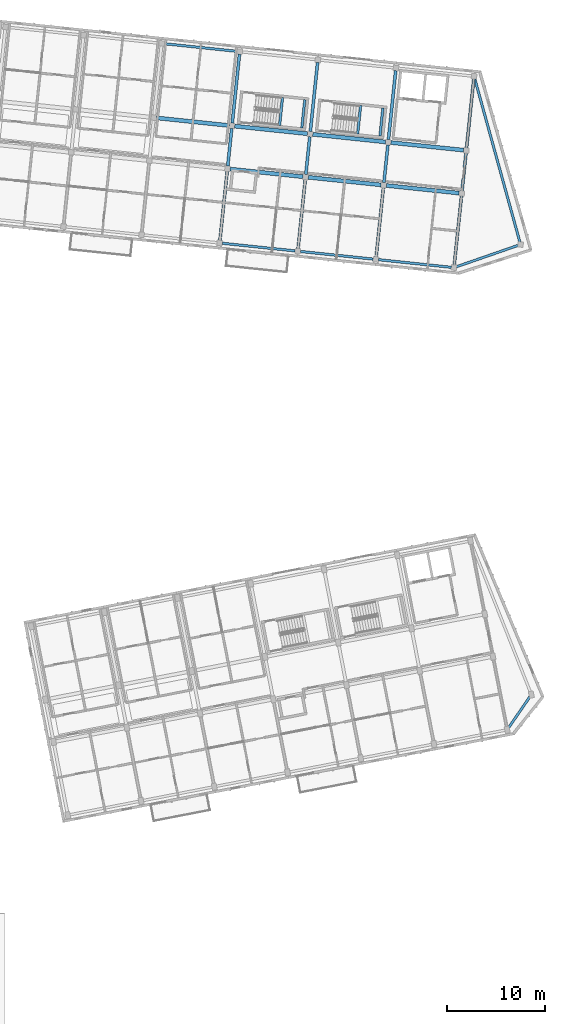
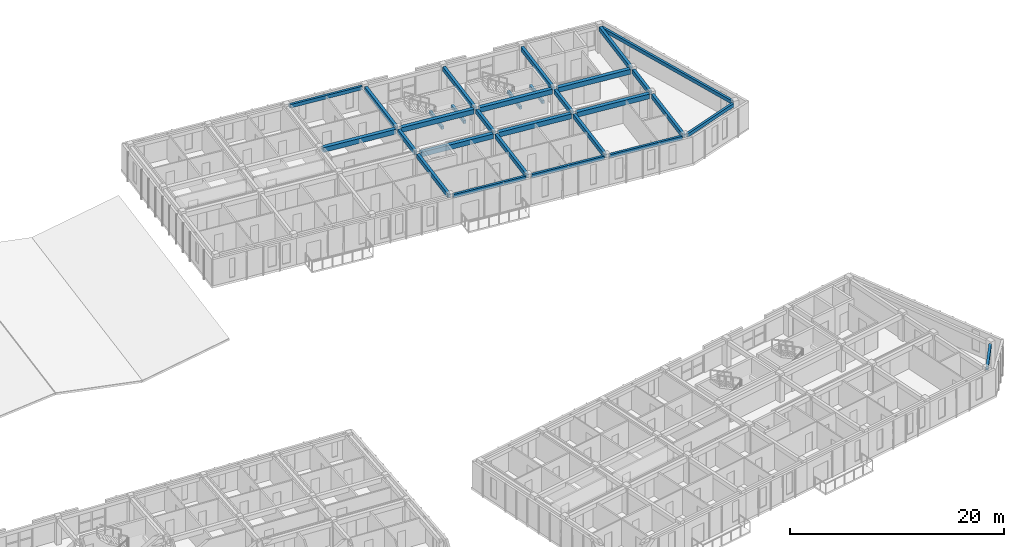
# One storey, part 12 of 74: 30 beams.
"""IFC4 building model written with IfcOpenShell, lengths in metres."""

from ifc_helpers import new_model, si_unit, direction, frame, origin, origin_2d, place, context, subcontext, project, spatial, rectangle, extrude, material, material_profile, profile_set, type_object, element, save


model = new_model("IFC4")

# Units and contexts
model_context = context("Model", 3, precision=1e-05, world=origin(), true_north=direction((0.0, 1.0)))
body_context = subcontext(model_context, "Body", "Model", "MODEL_VIEW")
ifc_project = project(units=[si_unit("LENGTHUNIT", "METRE"), si_unit("AREAUNIT", "SQUARE_METRE"), si_unit("VOLUMEUNIT", "CUBIC_METRE"), si_unit("PLANEANGLEUNIT", "RADIAN"), si_unit("MASSUNIT", "GRAM", prefix="KILO")], contexts=[model_context])

# Site, building, storey
site_placement = place(None, origin())
site = spatial("IfcSite", under=ifc_project, at=site_placement, CompositionType="ELEMENT")
building_placement = place(site_placement, origin())
building = spatial("IfcBuilding", under=site, at=building_placement, Name="Kestramere Prow Commons", CompositionType="ELEMENT")
storey_placement = place(building_placement, frame((0.0, 0.0, 11.64990234375)))
storey = spatial("IfcBuildingStorey", under=building, at=storey_placement, Name="L03", CompositionType="ELEMENT", Elevation=11.64990234375)

# Beams
ifc_material_1 = material(Name="Precast concrete C40/50", Category="concrete")
ifc_material_profile_1 = material_profile(ifc_material_1, rectangle(XDim=0.39990234375, YDim=0.550048828125, at=origin_2d()), Name="PC-BM 400x550")
ifc_profile_set_1 = profile_set([ifc_material_profile_1], Name="Precast concrete C40/50")
beam_type_1 = type_object("IfcBeamType", Name="BM-B1 PC-BM 400x550", PredefinedType="BEAM", material=ifc_profile_set_1)
for number, where, z_axis, x_axis, name in (
    (1, (134.9365234375, 99.821044921875, 2.72509765625), (0.994520884665, -0.104538079019, 0.0), (0.104538079019, 0.994520884665, 0.0), "Block B L03 Longitudinal Beam 2-4"),
    (2, (142.892578125, 98.984619140625, 2.72509765625), (0.994524291149, -0.104505666419, 0.0), (0.104505666419, 0.994524291149, 0.0), "Block B L03 Longitudinal Beam 2-5"),
    (3, (150.848876953125, 98.1484375, 2.72509765625), (0.994520884665, -0.104538079019, 0.0), (0.104538079019, 0.994520884665, 0.0), "Block B L03 Longitudinal Beam 2-6"),
    (4, (127.440185546875, 105.032958984375, 2.72509765625), (0.994524291149, -0.104505666419, 0.0), (0.104505666419, 0.994524291149, 0.0), "Block B L03 Longitudinal Beam 3-3"),
):
    element("IfcBeam", number, at=place(storey_placement, frame(where, z_axis=z_axis, x_axis=x_axis)), inside=storey, type_object=beam_type_1, Name=name, PredefinedType="BEAM", context=body_context, shape_type="SweptSolid", body=[
        extrude(rectangle(XDim=0.39990234375, YDim=0.550048828125, at=origin_2d()), origin(), (0.0, 0.0, 1.0), 7.449951171875),
    ])
beam_1_placement = place(storey_placement, frame((135.396240234375, 104.19677734375, 2.72509765625), z_axis=(0.994524649035, -0.104502260561, 0.0), x_axis=(0.104502260561, 0.994524649035, 0.0)))
element("IfcBeam", 5, at=beam_1_placement, inside=storey, type_object=beam_type_1, Name="Block B L03 Longitudinal Beam 3-4", PredefinedType="BEAM", context=body_context, shape_type="SweptSolid", body=[
    extrude(rectangle(XDim=0.39990234375, YDim=0.550048828125, at=origin_2d()), origin(), (0.0, 0.0, 1.0), 7.4501953125),
])
beam_2_placement = place(storey_placement, frame((143.3525390625, 103.360595703125, 2.72509765625), z_axis=(0.994520884665, -0.104538079019, 0.0), x_axis=(0.104538079019, 0.994520884665, 0.0)))
element("IfcBeam", 6, at=beam_2_placement, inside=storey, type_object=beam_type_1, Name="Block B L03 Longitudinal Beam 3-5", PredefinedType="BEAM", context=body_context, shape_type="SweptSolid", body=[
    extrude(rectangle(XDim=0.39990234375, YDim=0.550048828125, at=origin_2d()), origin(), (0.0, 0.0, 1.0), 7.449951171875),
])
beam_3_placement = place(storey_placement, frame((151.30859375, 102.5244140625, 2.72509765625), z_axis=(0.994521242771, -0.104534672129, 0.0), x_axis=(0.104534672129, 0.994521242771, 0.0)))
element("IfcBeam", 7, at=beam_3_placement, inside=storey, type_object=beam_type_1, Name="Block B L03 Longitudinal Beam 3-6", PredefinedType="BEAM", context=body_context, shape_type="SweptSolid", body=[
    extrude(rectangle(XDim=0.39990234375, YDim=0.550048828125, at=origin_2d()), origin(), (0.0, 0.0, 1.0), 7.4501953125),
])
ifc_material_2 = material(Name="Concrete C40/50", Category="concrete")
ifc_material_profile_2 = material_profile(ifc_material_2, rectangle(XDim=0.25, YDim=0.35009765625, at=origin_2d()), Name="PC-BM 250x350")
ifc_profile_set_2 = profile_set([ifc_material_profile_2], Name="Concrete C40/50")
beam_type_2 = type_object("IfcBeamType", Name="BM-ST-TRIM", PredefinedType="BEAM", material=ifc_profile_set_2)
for number, where, z_axis, x_axis, name in (
    (8, (139.971923828125, 104.248779296875, 1.25), (0.104495697268, 0.994525338668, 0.0), (-0.994525338668, 0.104495697268, 0.0), "ST-B1 L03 Landing Trimmer Beam 1A"),
    (9, (142.2392578125, 104.010498046875, 1.25), (0.104579248847, 0.994516556278, 0.0), (-0.994516556278, 0.104579248847, 0.0), "ST-B1 L03 Landing Trimmer Beam 1B"),
    (10, (147.927978515625, 103.41259765625, 1.25), (0.104579248847, 0.994516556278, 0.0), (-0.994516556278, 0.104579248847, 0.0), "ST-B2 L03 Landing Trimmer Beam 1A"),
    (11, (150.195556640625, 103.17431640625, 1.25), (0.104495697268, 0.994525338668, 0.0), (-0.994525338668, 0.104495697268, 0.0), "ST-B2 L03 Landing Trimmer Beam 1B"),
):
    element("IfcBeam", number, at=place(storey_placement, frame(where, z_axis=z_axis, x_axis=x_axis)), inside=storey, type_object=beam_type_2, Name=name, PredefinedType="BEAM", context=body_context, shape_type="SweptSolid", body=[
        extrude(rectangle(XDim=0.25, YDim=0.35009765625, at=origin_2d()), origin(), (0.0, 0.0, 1.0), 2.89013671875),
    ])
ifc_material_profile_3 = material_profile(ifc_material_1, rectangle(XDim=0.300048828125, YDim=0.5, at=origin_2d()), Name="PC-BM 300x500")
ifc_profile_set_3 = profile_set([ifc_material_profile_3], Name="Precast concrete C40/50")
beam_type_3 = type_object("IfcBeamType", Name="BM-TIE-01 PC-BM 300x500", PredefinedType="BEAM", material=ifc_profile_set_3)
beam_4_placement = place(storey_placement, frame((133.897216796875, 92.564697265625, 2.75), z_axis=(0.104545981508, 0.994520053971, 0.0), x_axis=(-0.994520053971, 0.104545981508, 0.0)))
element("IfcBeam", 12, at=beam_4_placement, inside=storey, type_object=beam_type_3, Name="Block B L03 Transverse Beam 4-1", PredefinedType="BEAM", context=body_context, shape_type="SweptSolid", body=[
    extrude(rectangle(XDim=0.300048828125, YDim=0.5, at=origin_2d()), origin(), (0.0, 0.0, 1.0), 7.050048828125),
])
beam_5_placement = place(storey_placement, frame((134.691650390625, 100.123291015625, 2.75), z_axis=(0.104569249198, 0.994517607749, 0.0), x_axis=(-0.994517607749, 0.104569249198, 0.0)))
element("IfcBeam", 13, at=beam_5_placement, inside=storey, type_object=beam_type_3, Name="Block B L03 Transverse Beam 4-2", PredefinedType="BEAM", context=body_context, shape_type="SweptSolid", body=[
    extrude(rectangle(XDim=0.300048828125, YDim=0.5, at=origin_2d()), origin(), (0.0, 0.0, 1.0), 3.849853515625),
])
for number, where, z_axis, x_axis, name in (
    (14, (135.151611328125, 104.4990234375, 2.75), (0.104511730475, 0.994523653913, 0.0), (-0.994523653913, 0.104511730475, 0.0), "Block B L03 Transverse Beam 4-3"),
    (15, (141.853515625, 91.728515625, 2.75), (0.104511730475, 0.994523653913, 0.0), (-0.994523653913, 0.104511730475, 0.0), "Block B L03 Transverse Beam 5-1"),
):
    element("IfcBeam", number, at=place(storey_placement, frame(where, z_axis=z_axis, x_axis=x_axis)), inside=storey, type_object=beam_type_3, Name=name, PredefinedType="BEAM", context=body_context, shape_type="SweptSolid", body=[
        extrude(rectangle(XDim=0.300048828125, YDim=0.5, at=origin_2d()), origin(), (0.0, 0.0, 1.0), 7.050048828125),
    ])
beam_6_placement = place(storey_placement, frame((142.64794921875, 99.286865234375, 2.75), z_axis=(0.104499937761, 0.994524893106, 0.0), x_axis=(-0.994524893106, 0.104499937761, 0.0)))
element("IfcBeam", 16, at=beam_6_placement, inside=storey, type_object=beam_type_3, Name="Block B L03 Transverse Beam 5-2", PredefinedType="BEAM", context=body_context, shape_type="SweptSolid", body=[
    extrude(rectangle(XDim=0.300048828125, YDim=0.5, at=origin_2d()), origin(), (0.0, 0.0, 1.0), 3.85009765625),
])
for number, where, z_axis, x_axis, name in (
    (17, (143.107666015625, 103.662841796875, 2.75), (0.104545981508, 0.994520053971, 0.0), (-0.994520053971, 0.104545981508, 0.0), "Block B L03 Transverse Beam 5-3"),
    (18, (149.8095703125, 90.892333984375, 2.75), (0.104545981508, 0.994520053971, 0.0), (-0.994520053971, 0.104545981508, 0.0), "Block B L03 Transverse Beam 6-1"),
):
    element("IfcBeam", number, at=place(storey_placement, frame(where, z_axis=z_axis, x_axis=x_axis)), inside=storey, type_object=beam_type_3, Name=name, PredefinedType="BEAM", context=body_context, shape_type="SweptSolid", body=[
        extrude(rectangle(XDim=0.300048828125, YDim=0.5, at=origin_2d()), origin(), (0.0, 0.0, 1.0), 7.050048828125),
    ])
beam_7_placement = place(storey_placement, frame((150.60400390625, 98.45068359375, 2.75), z_axis=(0.104569249198, 0.994517607749, 0.0), x_axis=(-0.994517607749, 0.104569249198, 0.0)))
element("IfcBeam", 19, at=beam_7_placement, inside=storey, type_object=beam_type_3, Name="Block B L03 Transverse Beam 6-2", PredefinedType="BEAM", context=body_context, shape_type="SweptSolid", body=[
    extrude(rectangle(XDim=0.300048828125, YDim=0.5, at=origin_2d()), origin(), (0.0, 0.0, 1.0), 3.849853515625),
])
beam_8_placement = place(storey_placement, frame((151.06396484375, 102.82666015625, 2.75), z_axis=(0.104515329964, 0.994523275646, 0.0), x_axis=(-0.994523275646, 0.104515329964, 0.0)))
element("IfcBeam", 20, at=beam_8_placement, inside=storey, type_object=beam_type_3, Name="Block B L03 Transverse Beam 6-3", PredefinedType="BEAM", context=body_context, shape_type="SweptSolid", body=[
    extrude(rectangle(XDim=0.300048828125, YDim=0.5, at=origin_2d()), origin(), (0.0, 0.0, 1.0), 7.0498046875),
])
beam_9_placement = place(storey_placement, frame((157.765869140625, 90.05615234375, 2.75), z_axis=(0.104511730475, 0.994523653913, 0.0), x_axis=(-0.994523653913, 0.104511730475, 0.0)))
element("IfcBeam", 21, at=beam_9_placement, inside=storey, type_object=beam_type_3, Name="Block B L03 Transverse Beam 7-1", PredefinedType="BEAM", context=body_context, shape_type="SweptSolid", body=[
    extrude(rectangle(XDim=0.300048828125, YDim=0.5, at=origin_2d()), origin(), (0.0, 0.0, 1.0), 7.050048828125),
])
beam_10_placement = place(storey_placement, frame((158.560302734375, 97.614501953125, 2.75), z_axis=(0.104506528251, 0.994524200587, 0.0), x_axis=(-0.994524200587, 0.104506528251, 0.0)))
element("IfcBeam", 22, at=beam_10_placement, inside=storey, type_object=beam_type_3, Name="Block B L03 Transverse Beam 7-2", PredefinedType="BEAM", context=body_context, shape_type="SweptSolid", body=[
    extrude(rectangle(XDim=0.300048828125, YDim=0.5, at=origin_2d()), origin(), (0.0, 0.0, 1.0), 3.849853515625),
])
beam_11_placement = place(storey_placement, frame((159.02001953125, 101.990478515625, 2.75), z_axis=(0.104549582151, 0.994519675458, 0.0), x_axis=(-0.994519675458, 0.104549582151, 0.0)))
element("IfcBeam", 23, at=beam_11_placement, inside=storey, type_object=beam_type_3, Name="Block B L03 Transverse Beam 7-3", PredefinedType="BEAM", context=body_context, shape_type="SweptSolid", body=[
    extrude(rectangle(XDim=0.300048828125, YDim=0.5, at=origin_2d()), origin(), (0.0, 0.0, 1.0), 7.0498046875),
])
ifc_material_profile_4 = material_profile(ifc_material_1, rectangle(XDim=0.25, YDim=0.39990234375, at=origin_2d()), Name="PC-SP 250x400")
ifc_profile_set_4 = profile_set([ifc_material_profile_4], Name="Precast concrete C40/50")
beam_type_4 = type_object("IfcBeamType", Name="SP-EXT-01 PC-SP 250x400", PredefinedType="SPANDREL", material=ifc_profile_set_4)
beam_12_placement = place(storey_placement, frame((158.00146484375, 89.87451171875, 2.800048828125), z_axis=(0.944739829863, 0.327821069901, 0.0), x_axis=(-0.327821069901, 0.944739829863, 0.0)))
element("IfcBeam", 24, at=beam_12_placement, inside=storey, type_object=beam_type_4, Name="Block B L03 Prow Facet Beam S", PredefinedType="SPANDREL", context=body_context, shape_type="SweptSolid", body=[
    extrude(rectangle(XDim=0.25, YDim=0.39990234375, at=origin_2d()), origin(), (0.0, 0.0, 1.0), 6.619873046875),
])
beam_13_placement = place(storey_placement, frame((159.8603515625, 109.00537109375, 2.800048828125), z_axis=(0.266276973363, -0.963896557446, 0.0), x_axis=(0.963896557446, 0.266276973363, 0.0)))
element("IfcBeam", 25, at=beam_13_placement, inside=storey, type_object=beam_type_4, Name="Block B L03 Prow Facet Beam N", PredefinedType="SPANDREL", context=body_context, shape_type="SweptSolid", body=[
    extrude(rectangle(XDim=0.25, YDim=0.39990234375, at=origin_2d()), origin(), (0.0, 0.0, 1.0), 17.220703125),
])
for number, where, z_axis, x_axis, name in (
    (26, (134.14208984375, 92.262451171875, 2.800048828125), (0.994524291149, -0.104505666419, 0.0), (0.104505666419, 0.994524291149, 0.0), "Block B L03 Longitudinal Beam 1-4"),
    (27, (142.09814453125, 91.42626953125, 2.800048828125), (0.994524291149, -0.104505666419, 0.0), (0.104505666419, 0.994524291149, 0.0), "Block B L03 Longitudinal Beam 1-5"),
    (28, (150.054443359375, 90.590087890625, 2.800048828125), (0.994520884665, -0.104538079019, 0.0), (0.104538079019, 0.994520884665, 0.0), "Block B L03 Longitudinal Beam 1-6"),
    (29, (128.234619140625, 112.59130859375, 2.800048828125), (0.994524291149, -0.104505666419, 0.0), (0.104505666419, 0.994524291149, 0.0), "Block B L03 Longitudinal Beam 4-3"),
):
    element("IfcBeam", number, at=place(storey_placement, frame(where, z_axis=z_axis, x_axis=x_axis)), inside=storey, type_object=beam_type_4, Name=name, PredefinedType="SPANDREL", context=body_context, shape_type="SweptSolid", body=[
        extrude(rectangle(XDim=0.25, YDim=0.39990234375, at=origin_2d()), origin(), (0.0, 0.0, 1.0), 7.449951171875),
    ])
beam_14_placement = place(storey_placement, frame((163.320556640625, 42.931640625, 2.800048828125), z_axis=(0.565935255914, 0.824449686829, 0.0), x_axis=(-0.824449686829, 0.565935255914, 0.0)))
element("IfcBeam", 30, at=beam_14_placement, inside=storey, type_object=beam_type_4, Name="Block D L03 Prow Facet Beam S", PredefinedType="SPANDREL", context=body_context, shape_type="SweptSolid", body=[
    extrude(rectangle(XDim=0.25, YDim=0.39990234375, at=origin_2d()), origin(), (0.0, 0.0, 1.0), 3.788818359375),
])

save(model, "model.ifc")
